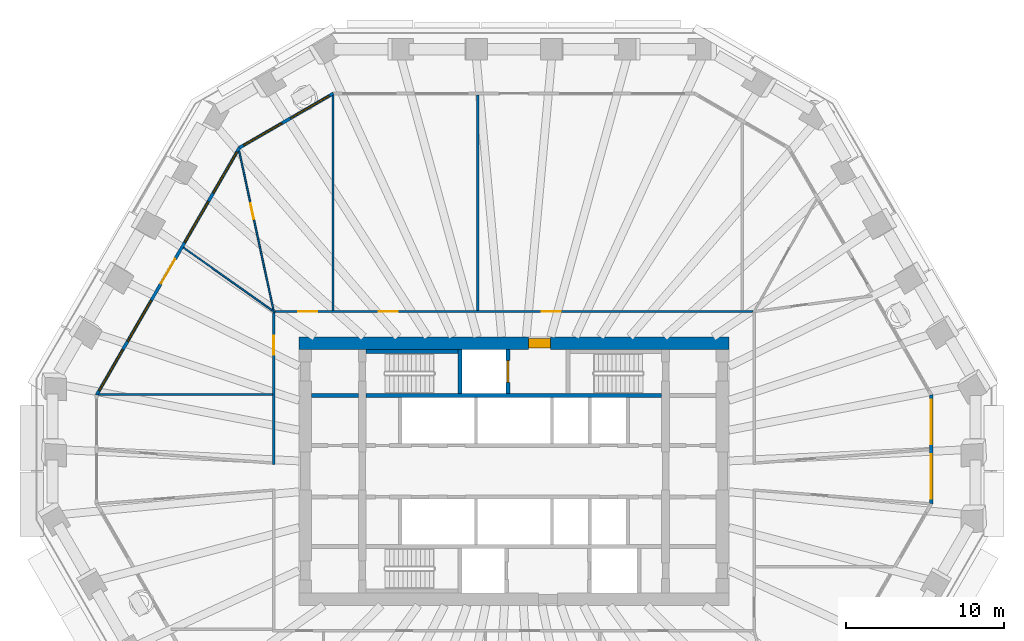
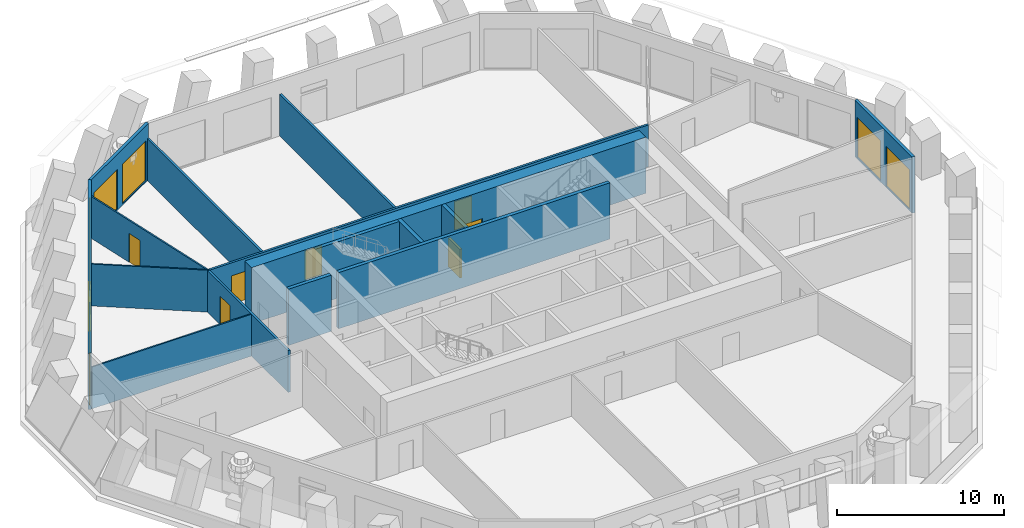
# One storey, part 6 of 12: 16 walls, 9 windows, 8 doors, 17 openings.
"""IFC4 building model written with IfcOpenShell, lengths in metres."""

from ifc_helpers import new_model, si_unit, direction, frame, frame_2d, origin, place, context, subcontext, project, spatial, polyline, rectangle, outline, extrude, material, layer, layer_set, type_object, element, fill, save


model = new_model("IFC4")

# Units and contexts
model_context = context("Model", 3, precision=1e-05, world=origin(), true_north=direction((0.0, 1.0)))
body_context = subcontext(model_context, "Body", "Model", "MODEL_VIEW")
ifc_project = project(units=[si_unit("LENGTHUNIT", "METRE"), si_unit("AREAUNIT", "SQUARE_METRE"), si_unit("VOLUMEUNIT", "CUBIC_METRE"), si_unit("PLANEANGLEUNIT", "RADIAN"), si_unit("MASSUNIT", "GRAM", prefix="KILO")], contexts=[model_context])

# Site, building, storey
site_placement = place(None, origin())
site = spatial("IfcSite", under=ifc_project, at=site_placement, CompositionType="ELEMENT")
building_placement = place(site_placement, origin())
building = spatial("IfcBuilding", under=site, at=building_placement, Name="Frailejon Research Tower", CompositionType="ELEMENT")
storey_placement = place(building_placement, frame((0.0, 0.0, 135.199951171875)))
storey = spatial("IfcBuildingStorey", under=building, at=storey_placement, Name="L29", CompositionType="ELEMENT", Elevation=135.199951171875)

# Wall, opening, door
ifc_material_1 = material(Name="Concrete C60/75", Category="concrete")
ifc_layer_1 = layer(ifc_material_1, 0.800048828125)
ifc_layer_set_1 = layer_set([ifc_layer_1], Name="Core shear wall 800 C60/75")
wall_type_1 = type_object("IfcWallType", Name="Core shear wall 800 C60/75", PredefinedType="SHEAR", material=ifc_layer_set_1)
wall_1_placement = place(storey_placement, frame((-13.60009765625, 8.10009765625, 0.0), z_axis=(0.0, 0.0, 1.0), x_axis=(1.0, 0.0, 0.0)))
wall_1 = element("IfcWall", 1, at=wall_1_placement, inside=storey, type_object=wall_type_1, Name="Core shear wall", PredefinedType="SHEAR", context=body_context, shape_type="SweptSolid", body=[
    extrude(rectangle(XDim=27.2001953125, YDim=0.800048828125, at=frame_2d((13.60009765625, 0.0))), origin(), (0.0, 0.0, 1.0), 4.10009765625),
])
opening_1_placement = place(wall_1_placement, frame((14.52490234375, 0.0, 0.0)))
opening_1 = element("IfcOpeningElement", 2, at=opening_1_placement, cuts=wall_1, Name="Opening D9", PredefinedType="OPENING", context=body_context, shape_type="SweptSolid", body=[
    extrude(rectangle(XDim=1.39990234375, YDim=2.10009765625, at=frame_2d((0.699951171875, 1.050048828125))), frame((0.0, 0.409912109375, 0.0), z_axis=(0.0, -1.0, 0.0), x_axis=(1.0, 0.0, 0.0)), (0.0, 0.0, 1.0), 0.820068359375),
])
ifc_material_2 = material(Name="Steel", Category="steel")
door_type_1 = type_object("IfcDoorType", Name="Goods lobby door", OperationType="DOUBLE_DOOR_SINGLE_SWING", PredefinedType="DOOR", material=ifc_material_2)
door_1_placement = place(opening_1_placement, origin())
door_1 = element("IfcDoor", 3, at=door_1_placement, inside=storey, type_object=door_type_1, Name="Goods lobby door", OperationType="DOUBLE_DOOR_SINGLE_SWING", OverallHeight=2.10009765625, OverallWidth=1.39990234375, PredefinedType="DOOR", context=body_context, shape_type="SweptSolid", body=[
    extrude(rectangle(XDim=1.39990234375, YDim=2.10009765625, at=frame_2d((0.699951171875, 1.050048828125))), frame((0.0, 0.300048828125, 0.0), z_axis=(0.0, -1.0, 0.0), x_axis=(1.0, 0.0, 0.0)), (0.0, 0.0, 1.0), 0.60009765625),
])
fill(opening_1, door_1)

# Wall, openings, doors
ifc_material_3 = material(Name="Gypsum board and masonry partition", Category="masonry")
ifc_layer_2 = layer(ifc_material_3, 0.14990234375)
ifc_layer_set_2 = layer_set([ifc_layer_2], Name="Corridor wall EI 60, gypsum on steel studs 150")
wall_type_2 = type_object("IfcWallType", Name="Corridor wall EI 60, gypsum on steel studs 150", PredefinedType="PARTITIONING", material=ifc_layer_set_2)
wall_2_placement = place(storey_placement, frame((-15.125, 10.10009765625, 0.0), z_axis=(0.0, 0.0, 1.0), x_axis=(1.0, 0.0, 0.0)))
wall_2 = element("IfcWall", 4, at=wall_2_placement, inside=storey, type_object=wall_type_2, Name="T:IW:L29:005", PredefinedType="PARTITIONING", context=body_context, shape_type="SweptSolid", body=[
    extrude(rectangle(XDim=30.25, YDim=0.14990234375, at=frame_2d((15.125, 0.0))), origin(), (0.0, 0.0, 1.0), 3.050048828125),
])
opening_2_placement = place(wall_2_placement, frame((16.895263671875, 0.0, 0.0)))
opening_2 = element("IfcOpeningElement", 5, at=opening_2_placement, cuts=wall_2, Name="Opening D1682", PredefinedType="OPENING", context=body_context, shape_type="SweptSolid", body=[
    extrude(rectangle(XDim=1.199951171875, YDim=2.10009765625, at=frame_2d((0.60009765625, 1.050048828125))), frame((0.0, 0.0849609375, 0.0), z_axis=(0.0, -1.0, 0.0), x_axis=(1.0, 0.0, 0.0)), (0.0, 0.0, 1.0), 0.169921875),
])
opening_3_placement = place(wall_2_placement, frame((6.563720703125, 0.0, 0.0)))
opening_3 = element("IfcOpeningElement", 6, at=opening_3_placement, cuts=wall_2, Name="Opening D1683", PredefinedType="OPENING", context=body_context, shape_type="SweptSolid", body=[
    extrude(rectangle(XDim=1.199951171875, YDim=2.10009765625, at=frame_2d((0.60009765625, 1.050048828125))), frame((0.0, 0.0849609375, 0.0), z_axis=(0.0, -1.0, 0.0), x_axis=(1.0, 0.0, 0.0)), (0.0, 0.0, 1.0), 0.169921875),
])
opening_4_placement = place(wall_2_placement, frame((1.4755859375, 0.0, 0.0)))
opening_4 = element("IfcOpeningElement", 7, at=opening_4_placement, cuts=wall_2, Name="Opening D1684", PredefinedType="OPENING", context=body_context, shape_type="SweptSolid", body=[
    extrude(rectangle(XDim=1.199951171875, YDim=2.10009765625, at=frame_2d((0.60009765625, 1.050048828125))), frame((0.0, 0.0849609375, 0.0), z_axis=(0.0, -1.0, 0.0), x_axis=(1.0, 0.0, 0.0)), (0.0, 0.0, 1.0), 0.169921875),
])
ifc_material_4 = material(Name="Timber door leaf", Category="wood")
door_type_2 = type_object("IfcDoorType", Name="Door laboratory, timber, vision panel 1200", OperationType="NOTDEFINED", PredefinedType="DOOR", material=ifc_material_4)
door_2_placement = place(opening_2_placement, origin())
door_2 = element("IfcDoor", 8, at=door_2_placement, inside=storey, type_object=door_type_2, Name="D1682", OperationType="DOUBLE_DOOR_SINGLE_SWING", OverallHeight=2.10009765625, OverallWidth=1.199951171875, PredefinedType="DOOR", context=body_context, shape_type="SweptSolid", body=[
    extrude(rectangle(XDim=1.199951171875, YDim=2.10009765625, at=frame_2d((0.60009765625, 1.050048828125))), frame((0.0, 0.02490234375, 0.0), z_axis=(0.0, -1.0, 0.0), x_axis=(1.0, 0.0, 0.0)), (0.0, 0.0, 1.0), 0.050048828125),
])
fill(opening_2, door_2)
door_3_placement = place(opening_3_placement, origin())
door_3 = element("IfcDoor", 9, at=door_3_placement, inside=storey, type_object=door_type_2, Name="D1683", OperationType="DOUBLE_DOOR_SINGLE_SWING", OverallHeight=2.10009765625, OverallWidth=1.199951171875, PredefinedType="DOOR", context=body_context, shape_type="SweptSolid", body=[
    extrude(rectangle(XDim=1.199951171875, YDim=2.10009765625, at=frame_2d((0.60009765625, 1.050048828125))), frame((0.0, 0.02490234375, 0.0), z_axis=(0.0, -1.0, 0.0), x_axis=(1.0, 0.0, 0.0)), (0.0, 0.0, 1.0), 0.050048828125),
])
fill(opening_3, door_3)
ifc_material_5 = material(Name="Timber door leaf", Category="wood")
door_type_3 = type_object("IfcDoorType", Name="Door single leaf, timber, steel frame 1200", OperationType="NOTDEFINED", PredefinedType="DOOR", material=ifc_material_5)
door_4_placement = place(opening_4_placement, origin())
door_4 = element("IfcDoor", 10, at=door_4_placement, inside=storey, type_object=door_type_3, Name="D1684", OperationType="DOUBLE_DOOR_SINGLE_SWING", OverallHeight=2.10009765625, OverallWidth=1.199951171875, PredefinedType="DOOR", context=body_context, shape_type="SweptSolid", body=[
    extrude(rectangle(XDim=1.199951171875, YDim=2.10009765625, at=frame_2d((0.60009765625, 1.050048828125))), frame((0.0, 0.02490234375, 0.0), z_axis=(0.0, -1.0, 0.0), x_axis=(1.0, 0.0, 0.0)), (0.0, 0.0, 1.0), 0.050048828125),
])
fill(opening_4, door_4)

# Wall, opening, door
wall_3_placement = place(storey_placement, frame((-15.199951171875, 0.42578125, 0.0), z_axis=(0.0, 0.0, 1.0), x_axis=(0.0, 1.0, 0.0)))
wall_3 = element("IfcWall", 11, at=wall_3_placement, inside=storey, type_object=wall_type_2, Name="T:IW:L29:007", PredefinedType="PARTITIONING", context=body_context, shape_type="SweptSolid", body=[
    extrude(rectangle(XDim=9.624267578125, YDim=0.14990234375, at=frame_2d((4.81201171875, 0.0))), origin(), (0.0, 0.0, 1.0), 3.050048828125),
])
opening_5_placement = place(wall_3_placement, frame((6.95068359375, 0.0, 0.0)))
opening_5 = element("IfcOpeningElement", 12, at=opening_5_placement, cuts=wall_3, Name="Opening D1686", PredefinedType="OPENING", context=body_context, shape_type="SweptSolid", body=[
    extrude(rectangle(XDim=1.199951171875, YDim=2.10009765625, at=frame_2d((0.60009765625, 1.050048828125))), frame((0.0, 0.0849609375, 0.0), z_axis=(0.0, -1.0, 0.0), x_axis=(1.0, 0.0, 0.0)), (0.0, 0.0, 1.0), 0.169921875),
])
door_5_placement = place(opening_5_placement, origin())
door_5 = element("IfcDoor", 13, at=door_5_placement, inside=storey, type_object=door_type_3, Name="D1686", OperationType="DOUBLE_DOOR_SINGLE_SWING", OverallHeight=2.10009765625, OverallWidth=1.199951171875, PredefinedType="DOOR", context=body_context, shape_type="SweptSolid", body=[
    extrude(rectangle(XDim=1.199951171875, YDim=2.10009765625, at=frame_2d((0.60009765625, 1.050048828125))), frame((0.0, 0.02490234375, 0.0), z_axis=(0.0, -1.0, 0.0), x_axis=(1.0, 0.0, 0.0)), (0.0, 0.0, 1.0), 0.050048828125),
])
fill(opening_5, door_5)

# Walls
ifc_material_6 = material(Name="Gypsum board and masonry partition", Category="masonry")
ifc_layer_3 = layer(ifc_material_6, 0.14990234375)
ifc_layer_set_3 = layer_set([ifc_layer_3], Name="Laboratory partition, blockwork 150")
wall_type_3 = type_object("IfcWallType", Name="Laboratory partition, blockwork 150", PredefinedType="PARTITIONING", material=ifc_layer_set_3)
wall_4_placement = place(storey_placement, frame((-2.29052734375, 10.175048828125, 0.0), z_axis=(0.0, 0.0, 1.0), x_axis=(0.0, 1.0, 0.0)))
element("IfcWall", 14, at=wall_4_placement, inside=storey, type_object=wall_type_3, Name="T:IW:L29:013", PredefinedType="PARTITIONING", context=body_context, shape_type="SweptSolid", body=[
    extrude(rectangle(XDim=13.625, YDim=0.14990234375, at=frame_2d((6.8125, 0.0))), origin(), (0.0, 0.0, 1.0), 3.050048828125),
])
wall_5_placement = place(storey_placement, frame((-11.453125, 10.175048828125, 0.0), z_axis=(0.0, 0.0, 1.0), x_axis=(0.0, 1.0, 0.0)))
element("IfcWall", 15, at=wall_5_placement, inside=storey, type_object=wall_type_3, Name="T:IW:L29:014", PredefinedType="PARTITIONING", context=body_context, shape_type="SweptSolid", body=[
    extrude(rectangle(XDim=13.593994140625, YDim=0.14990234375, at=frame_2d((6.796875, 0.0))), origin(), (0.0, 0.0, 1.0), 3.050048828125),
])

# Wall, opening, door
ifc_material_7 = material(Name="Gypsum board and masonry partition", Category="masonry")
ifc_layer_4 = layer(ifc_material_7, 0.10009765625)
ifc_layer_set_4 = layer_set([ifc_layer_4], Name="Partition, gypsum on steel studs 100")
wall_type_4 = type_object("IfcWallType", Name="Partition, gypsum on steel studs 100", PredefinedType="PARTITIONING", material=ifc_layer_set_4)
wall_6_placement = place(storey_placement, frame((-17.39013671875, 20.244873046875, 0.0), z_axis=(0.0, 0.0, 1.0), x_axis=(0.211012362952, -0.977483392535, 0.0)))
wall_6 = element("IfcWall", 16, at=wall_6_placement, inside=storey, type_object=wall_type_4, Name="T:IW:L29:020", PredefinedType="PARTITIONING", context=body_context, shape_type="SweptSolid", body=[
    extrude(rectangle(XDim=10.32861328125, YDim=0.10009765625, at=frame_2d((5.164306640625, 0.0))), origin(), (0.0, 0.0, 1.0), 3.050048828125),
])
opening_6_placement = place(wall_6_placement, frame((3.387451171875, 0.0, 0.0)))
opening_6 = element("IfcOpeningElement", 17, at=opening_6_placement, cuts=wall_6, Name="Opening D1685", PredefinedType="OPENING", context=body_context, shape_type="SweptSolid", body=[
    extrude(rectangle(XDim=1.0, YDim=2.10009765625, at=frame_2d((0.5, 1.050048828125))), frame((0.0, 0.06005859375, 0.0), z_axis=(0.0, -1.0, 0.0), x_axis=(1.0, 0.0, 0.0)), (0.0, 0.0, 1.0), 0.1201171875),
])
ifc_material_8 = material(Name="Timber door leaf", Category="wood")
door_type_4 = type_object("IfcDoorType", Name="Door single leaf, timber, steel frame 1000", OperationType="NOTDEFINED", PredefinedType="DOOR", material=ifc_material_8)
door_6_placement = place(opening_6_placement, origin())
door_6 = element("IfcDoor", 18, at=door_6_placement, inside=storey, type_object=door_type_4, Name="D1685", OperationType="SINGLE_SWING_RIGHT", OverallHeight=2.10009765625, OverallWidth=1.0, PredefinedType="DOOR", context=body_context, shape_type="SweptSolid", body=[
    extrude(rectangle(XDim=1.0, YDim=2.10009765625, at=frame_2d((0.5, 1.050048828125))), frame((0.0, 0.02490234375, 0.0), z_axis=(0.0, -1.0, 0.0), x_axis=(1.0, 0.0, 0.0)), (0.0, 0.0, 1.0), 0.050048828125),
])
fill(opening_6, door_6)

# Walls
wall_7_placement = place(storey_placement, frame((-20.912353515625, 14.144287109375, 0.0), z_axis=(0.0, 0.0, 1.0), x_axis=(0.816149265307, -0.577841134516, 0.0)))
element("IfcWall", 19, at=wall_7_placement, inside=storey, type_object=wall_type_4, Name="T:IW:L29:021", PredefinedType="PARTITIONING", context=body_context, shape_type="SweptSolid", body=[
    extrude(rectangle(XDim=7.073974609375, YDim=0.10009765625, at=frame_2d((3.537109375, 0.0))), origin(), (0.0, 0.0, 1.0), 3.050048828125),
])
wall_8_placement = place(storey_placement, frame((-26.2802734375, 4.846923828125, 0.0), z_axis=(0.0, 0.0, 1.0), x_axis=(1.0, 0.0, 0.0)))
element("IfcWall", 20, at=wall_8_placement, inside=storey, type_object=wall_type_4, Name="T:IW:L29:022", PredefinedType="PARTITIONING", context=body_context, shape_type="SweptSolid", body=[
    extrude(rectangle(XDim=11.00537109375, YDim=0.10009765625, at=frame_2d((5.502685546875, 0.0))), origin(), (0.0, 0.0, 1.0), 3.050048828125),
])
ifc_material_9 = material(Name="Concrete C60/75", Category="concrete")
ifc_layer_5 = layer(ifc_material_9, 0.25)
ifc_layer_set_5 = layer_set([ifc_layer_5], Name="Shaft wall 250 C60/75")
wall_type_5 = type_object("IfcWallType", Name="Shaft wall 250 C60/75", PredefinedType="SOLIDWALL", material=ifc_layer_set_5)
wall_9_placement = place(storey_placement, frame((-12.800048828125, 4.77490234375, 0.0), z_axis=(0.0, 0.0, 1.0), x_axis=(1.0, 0.0, 0.0)))
element("IfcWall", 21, at=wall_9_placement, inside=storey, type_object=wall_type_5, Name="Shaft wall", PredefinedType="SOLIDWALL", context=body_context, shape_type="SweptSolid", body=[
    extrude(rectangle(XDim=2.949951171875, YDim=0.25, at=frame_2d((1.47509765625, 0.0))), origin(), (0.0, 0.0, 1.0), 4.10009765625),
])
wall_10_placement = place(storey_placement, frame((-9.35009765625, 4.77490234375, 0.0), z_axis=(0.0, 0.0, 1.0), x_axis=(1.0, 0.0, 0.0)))
element("IfcWall", 22, at=wall_10_placement, inside=storey, type_object=wall_type_5, Name="Shaft wall", PredefinedType="SOLIDWALL", context=body_context, shape_type="SweptSolid", body=[
    extrude(rectangle(XDim=18.7001953125, YDim=0.25, at=frame_2d((9.35009765625, 0.0))), origin(), (0.0, 0.0, 1.0), 4.10009765625),
])
wall_11_placement = place(storey_placement, frame((-9.35009765625, 7.574951171875, 0.0), z_axis=(0.0, 0.0, 1.0), x_axis=(1.0, 0.0, 0.0)))
element("IfcWall", 23, at=wall_11_placement, inside=storey, type_object=wall_type_5, Name="Shaft wall", PredefinedType="SOLIDWALL", context=body_context, shape_type="SweptSolid", body=[
    extrude(rectangle(XDim=5.800048828125, YDim=0.25, at=frame_2d((2.89990234375, 0.0))), origin(), (0.0, 0.0, 1.0), 4.10009765625),
])
wall_12_placement = place(storey_placement, frame((-3.425048828125, 4.89990234375, 0.0), z_axis=(0.0, 0.0, 1.0), x_axis=(0.0, 1.0, 0.0)))
element("IfcWall", 24, at=wall_12_placement, inside=storey, type_object=wall_type_5, Name="Shaft wall", PredefinedType="SOLIDWALL", context=body_context, shape_type="SweptSolid", body=[
    extrude(rectangle(XDim=2.800048828125, YDim=0.25, at=frame_2d((1.39990234375, 0.0))), origin(), (0.0, 0.0, 1.0), 4.10009765625),
])

# Wall, opening, door
wall_13_placement = place(storey_placement, frame((-0.375, 4.89990234375, 0.0), z_axis=(0.0, 0.0, 1.0), x_axis=(0.0, 1.0, 0.0)))
wall_13 = element("IfcWall", 25, at=wall_13_placement, inside=storey, type_object=wall_type_5, Name="Shaft wall", PredefinedType="SOLIDWALL", context=body_context, shape_type="SweptSolid", body=[
    extrude(rectangle(XDim=2.800048828125, YDim=0.25, at=frame_2d((1.39990234375, 0.0))), origin(), (0.0, 0.0, 1.0), 4.10009765625),
])
opening_7_placement = place(wall_13_placement, frame((0.699951171875, 0.0, 0.0)))
opening_7 = element("IfcOpeningElement", 26, at=opening_7_placement, cuts=wall_13, Name="Opening LD2", PredefinedType="OPENING", context=body_context, shape_type="SweptSolid", body=[
    extrude(rectangle(XDim=1.39990234375, YDim=2.10009765625, at=frame_2d((0.699951171875, 1.050048828125))), frame((0.0, 0.135009765625, 0.0), z_axis=(0.0, -1.0, 0.0), x_axis=(1.0, 0.0, 0.0)), (0.0, 0.0, 1.0), 0.27001953125),
])
ifc_material_10 = material(Name="Stainless steel", Category="steel")
door_type_5 = type_object("IfcDoorType", Name="Goods landing door", OperationType="DOUBLE_DOOR_SLIDING", PredefinedType="DOOR", material=ifc_material_10)
door_7_placement = place(opening_7_placement, origin())
door_7 = element("IfcDoor", 27, at=door_7_placement, inside=storey, type_object=door_type_5, Name="Lift landing door", OperationType="DOUBLE_DOOR_SLIDING", OverallHeight=2.10009765625, OverallWidth=1.39990234375, PredefinedType="DOOR", context=body_context, shape_type="SweptSolid", body=[
    extrude(rectangle(XDim=1.39990234375, YDim=2.10009765625, at=frame_2d((0.699951171875, 1.050048828125))), frame((0.0, 0.074951171875, 0.0), z_axis=(0.0, -1.0, 0.0), x_axis=(1.0, 0.0, 0.0)), (0.0, 0.0, 1.0), 0.14990234375),
])
fill(opening_7, door_7)

# Wall, openings, windows
ifc_material_11 = material(Name="Concrete C40/50 precast window wall panel", Category="concrete")
ifc_layer_6 = layer(ifc_material_11, 0.199951171875)
ifc_layer_set_6 = layer_set([ifc_layer_6], Name="Window wall 200")
wall_type_6 = type_object("IfcWallType", Name="Window wall 200", PredefinedType="SOLIDWALL", material=ifc_layer_set_6)
wall_14_placement = place(storey_placement, frame((26.4111328125, -2.0546875, 0.0), z_axis=(0.0, 0.0, 1.0), x_axis=(0.0, 1.0, 0.0)))
wall_14 = element("IfcWall", 28, at=wall_14_placement, inside=storey, type_object=wall_type_6, Name="Exterior wall L29", PredefinedType="SOLIDWALL", context=body_context, shape_type="SweptSolid", body=[
    extrude(outline(polyline([(-0.02685546875, -0.10009765625), (1.1279296875, -0.10009765625), (2.28271484375, -0.10009765625), (3.4375, -0.10009765625), (4.592041015625, -0.10009765625), (5.746826171875, -0.10009765625), (6.901611328125, -0.10009765625), (6.847900390625, 0.10009765625), (5.7109375, 0.10009765625), (4.57421875, 0.10009765625), (3.4375, 0.10009765625), (2.300537109375, 0.10009765625), (1.16357421875, 0.10009765625), (0.02685546875, 0.10009765625), (-0.02685546875, -0.10009765625)])), origin(), (0.0, 0.0, 1.0), 4.10009765625),
])
opening_8_placement = place(wall_14_placement, frame((0.318603515625, 0.0, 0.10009765625)))
opening_8 = element("IfcOpeningElement", 29, at=opening_8_placement, cuts=wall_14, Name="Opening W3", PredefinedType="OPENING", context=body_context, shape_type="SweptSolid", body=[
    extrude(rectangle(XDim=2.800048828125, YDim=2.89990234375, at=frame_2d((1.39990234375, 1.449951171875))), frame((0.0, 0.10986328125, 0.0), z_axis=(0.0, -1.0, 0.0), x_axis=(1.0, 0.0, 0.0)), (0.0, 0.0, 1.0), 0.219970703125),
])
opening_9_placement = place(wall_14_placement, frame((3.756103515625, 0.0, 0.10009765625)))
opening_9 = element("IfcOpeningElement", 30, at=opening_9_placement, cuts=wall_14, Name="Opening W3", PredefinedType="OPENING", context=body_context, shape_type="SweptSolid", body=[
    extrude(rectangle(XDim=2.800048828125, YDim=2.89990234375, at=frame_2d((1.39990234375, 1.449951171875))), frame((0.0, 0.10986328125, 0.0), z_axis=(0.0, -1.0, 0.0), x_axis=(1.0, 0.0, 0.0)), (0.0, 0.0, 1.0), 0.219970703125),
])
ifc_material_12 = material(Name="Aluminium framed double glazing", Category="aluminium")
window_type_1 = type_object("IfcWindowType", Name="Window 2800x2900", PartitioningType="SINGLE_PANEL", PredefinedType="WINDOW", material=ifc_material_12)
window_1_placement = place(opening_8_placement, origin())
window_1 = element("IfcWindow", 31, at=window_1_placement, inside=storey, type_object=window_type_1, Name="Window L29", OverallHeight=2.89990234375, OverallWidth=2.800048828125, PartitioningType="SINGLE_PANEL", PredefinedType="WINDOW", context=body_context, shape_type="SweptSolid", body=[
    extrude(rectangle(XDim=2.800048828125, YDim=2.89990234375, at=frame_2d((1.39990234375, 1.449951171875))), frame((0.0, 0.030029296875, 0.0), z_axis=(0.0, -1.0, 0.0), x_axis=(1.0, 0.0, 0.0)), (0.0, 0.0, 1.0), 0.06005859375),
])
fill(opening_8, window_1)
window_2_placement = place(opening_9_placement, origin())
window_2 = element("IfcWindow", 32, at=window_2_placement, inside=storey, type_object=window_type_1, Name="Window L29", OverallHeight=2.89990234375, OverallWidth=2.800048828125, PartitioningType="SINGLE_PANEL", PredefinedType="WINDOW", context=body_context, shape_type="SweptSolid", body=[
    extrude(rectangle(XDim=2.800048828125, YDim=2.89990234375, at=frame_2d((1.39990234375, 1.449951171875))), frame((0.0, 0.030029296875, 0.0), z_axis=(0.0, -1.0, 0.0), x_axis=(1.0, 0.0, 0.0)), (0.0, 0.0, 1.0), 0.06005859375),
])
fill(opening_9, window_2)

wall_15_placement = place(storey_placement, frame((-11.42626953125, 23.89990234375, 0.0), z_axis=(0.0, 0.0, 1.0), x_axis=(-0.866029458321, -0.49999297727, 0.0)))
wall_15 = element("IfcWall", 33, at=wall_15_placement, inside=storey, type_object=wall_type_6, Name="Exterior wall L29", PredefinedType="SOLIDWALL", context=body_context, shape_type="SweptSolid", body=[
    extrude(outline(polyline([(-0.02685546875, -0.10009765625), (1.1279296875, -0.10009765625), (2.282470703125, -0.10009765625), (3.437255859375, -0.10009765625), (4.592041015625, -0.10009765625), (5.74658203125, -0.10009765625), (6.9013671875, -0.10009765625), (6.84765625, 0.10009765625), (5.7109375, 0.10009765625), (4.573974609375, 0.10009765625), (3.437255859375, 0.10009765625), (2.300537109375, 0.10009765625), (1.16357421875, 0.10009765625), (0.02685546875, 0.10009765625), (-0.02685546875, -0.10009765625)])), origin(), (0.0, 0.0, 1.0), 4.10009765625),
])
opening_10_placement = place(wall_15_placement, frame((0.318603515625, 0.0, 0.10009765625)))
opening_10 = element("IfcOpeningElement", 34, at=opening_10_placement, cuts=wall_15, Name="Opening W3", PredefinedType="OPENING", context=body_context, shape_type="SweptSolid", body=[
    extrude(rectangle(XDim=2.800048828125, YDim=2.89990234375, at=frame_2d((1.39990234375, 1.449951171875))), frame((0.0, 0.10986328125, 0.0), z_axis=(0.0, -1.0, 0.0), x_axis=(1.0, 0.0, 0.0)), (0.0, 0.0, 1.0), 0.219970703125),
])
opening_11_placement = place(wall_15_placement, frame((3.756103515625, 0.0, 0.10009765625)))
opening_11 = element("IfcOpeningElement", 35, at=opening_11_placement, cuts=wall_15, Name="Opening W3", PredefinedType="OPENING", context=body_context, shape_type="SweptSolid", body=[
    extrude(rectangle(XDim=2.800048828125, YDim=2.89990234375, at=frame_2d((1.39990234375, 1.449951171875))), frame((0.0, 0.10986328125, 0.0), z_axis=(0.0, -1.0, 0.0), x_axis=(1.0, 0.0, 0.0)), (0.0, 0.0, 1.0), 0.219970703125),
])
window_3_placement = place(opening_10_placement, origin())
window_3 = element("IfcWindow", 36, at=window_3_placement, inside=storey, type_object=window_type_1, Name="Window L29", OverallHeight=2.89990234375, OverallWidth=2.800048828125, PartitioningType="SINGLE_PANEL", PredefinedType="WINDOW", context=body_context, shape_type="SweptSolid", body=[
    extrude(rectangle(XDim=2.800048828125, YDim=2.89990234375, at=frame_2d((1.39990234375, 1.449951171875))), frame((0.0, 0.030029296875, 0.0), z_axis=(0.0, -1.0, 0.0), x_axis=(1.0, 0.0, 0.0)), (0.0, 0.0, 1.0), 0.06005859375),
])
fill(opening_10, window_3)
window_4_placement = place(opening_11_placement, origin())
window_4 = element("IfcWindow", 37, at=window_4_placement, inside=storey, type_object=window_type_1, Name="Window L29", OverallHeight=2.89990234375, OverallWidth=2.800048828125, PartitioningType="SINGLE_PANEL", PredefinedType="WINDOW", context=body_context, shape_type="SweptSolid", body=[
    extrude(rectangle(XDim=2.800048828125, YDim=2.89990234375, at=frame_2d((1.39990234375, 1.449951171875))), frame((0.0, 0.030029296875, 0.0), z_axis=(0.0, -1.0, 0.0), x_axis=(1.0, 0.0, 0.0)), (0.0, 0.0, 1.0), 0.06005859375),
])
fill(opening_11, window_4)

# Wall, openings, door, windows
wall_16_placement = place(storey_placement, frame((-17.3798828125, 20.462646484375, 0.0), z_axis=(0.0, 0.0, 1.0), x_axis=(-0.500000137386, -0.866025324465, 0.0)))
wall_16 = element("IfcWall", 38, at=wall_16_placement, inside=storey, type_object=wall_type_6, Name="Exterior wall L29", PredefinedType="SOLIDWALL", context=body_context, shape_type="SweptSolid", body=[
    extrude(outline(polyline([(-0.02685546875, -0.10009765625), (0.9794921875, -0.10009765625), (1.986083984375, -0.10009765625), (2.992431640625, -0.10009765625), (3.9990234375, -0.10009765625), (5.00537109375, -0.10009765625), (6.011962890625, -0.10009765625), (7.018310546875, -0.10009765625), (8.02490234375, -0.10009765625), (9.03125, -0.10009765625), (10.03759765625, -0.10009765625), (11.044189453125, -0.10009765625), (12.050537109375, -0.10009765625), (13.05712890625, -0.10009765625), (14.0634765625, -0.10009765625), (15.070068359375, -0.10009765625), (16.076416015625, -0.10009765625), (17.0830078125, -0.10009765625), (18.08935546875, -0.10009765625), (18.03564453125, 0.10009765625), (17.03515625, 0.10009765625), (16.03466796875, 0.10009765625), (15.0341796875, 0.10009765625), (14.03369140625, 0.10009765625), (13.033203125, 0.10009765625), (12.03271484375, 0.10009765625), (11.0322265625, 0.10009765625), (10.03173828125, 0.10009765625), (9.03125, 0.10009765625), (8.03076171875, 0.10009765625), (7.0302734375, 0.10009765625), (6.02978515625, 0.10009765625), (5.029296875, 0.10009765625), (4.02880859375, 0.10009765625), (3.0283203125, 0.10009765625), (2.02783203125, 0.10009765625), (1.02734375, 0.10009765625), (0.02685546875, 0.10009765625), (-0.02685546875, -0.10009765625)])), origin(), (0.0, 0.0, 1.0), 4.10009765625),
])
opening_12_placement = place(wall_16_placement, frame((0.306396484375, 0.0, 0.10009765625)))
opening_12 = element("IfcOpeningElement", 39, at=opening_12_placement, cuts=wall_16, Name="Opening W4", PredefinedType="OPENING", context=body_context, shape_type="SweptSolid", body=[
    extrude(rectangle(XDim=3.0, YDim=2.89990234375, at=frame_2d((1.5, 1.449951171875))), frame((0.0, 0.10986328125, 0.0), z_axis=(0.0, -1.0, 0.0), x_axis=(1.0, 0.0, 0.0)), (0.0, 0.0, 1.0), 0.219970703125),
])
opening_13_placement = place(wall_16_placement, frame((3.918701171875, 0.0, 0.10009765625)))
opening_13 = element("IfcOpeningElement", 40, at=opening_13_placement, cuts=wall_16, Name="Opening W4", PredefinedType="OPENING", context=body_context, shape_type="SweptSolid", body=[
    extrude(rectangle(XDim=3.0, YDim=2.89990234375, at=frame_2d((1.5, 1.449951171875))), frame((0.0, 0.10986328125, 0.0), z_axis=(0.0, -1.0, 0.0), x_axis=(1.0, 0.0, 0.0)), (0.0, 0.0, 1.0), 0.219970703125),
])
opening_14_placement = place(wall_16_placement, frame((8.13134765625, 0.0, 0.0)))
opening_14 = element("IfcOpeningElement", 41, at=opening_14_placement, cuts=wall_16, Name="Opening LG29-3", PredefinedType="OPENING", context=body_context, shape_type="SweptSolid", body=[
    extrude(rectangle(XDim=1.800048828125, YDim=2.39990234375, at=frame_2d((0.89990234375, 1.199951171875))), frame((0.0, 0.10986328125, 0.0), z_axis=(0.0, -1.0, 0.0), x_axis=(1.0, 0.0, 0.0)), (0.0, 0.0, 1.0), 0.219970703125),
])
opening_15_placement = place(wall_16_placement, frame((8.13134765625, 0.0, 2.550048828125)))
opening_15 = element("IfcOpeningElement", 42, at=opening_15_placement, cuts=wall_16, Name="Opening W1", PredefinedType="OPENING", context=body_context, shape_type="SweptSolid", body=[
    extrude(rectangle(XDim=1.800048828125, YDim=0.449951171875, at=frame_2d((0.89990234375, 0.22509765625))), frame((0.0, 0.10986328125, 0.0), z_axis=(0.0, -1.0, 0.0), x_axis=(1.0, 0.0, 0.0)), (0.0, 0.0, 1.0), 0.219970703125),
])
opening_16_placement = place(wall_16_placement, frame((11.143798828125, 0.0, 0.10009765625)))
opening_16 = element("IfcOpeningElement", 43, at=opening_16_placement, cuts=wall_16, Name="Opening W4", PredefinedType="OPENING", context=body_context, shape_type="SweptSolid", body=[
    extrude(rectangle(XDim=3.0, YDim=2.89990234375, at=frame_2d((1.5, 1.449951171875))), frame((0.0, 0.10986328125, 0.0), z_axis=(0.0, -1.0, 0.0), x_axis=(1.0, 0.0, 0.0)), (0.0, 0.0, 1.0), 0.219970703125),
])
opening_17_placement = place(wall_16_placement, frame((14.75634765625, 0.0, 0.10009765625)))
opening_17 = element("IfcOpeningElement", 44, at=opening_17_placement, cuts=wall_16, Name="Opening W4", PredefinedType="OPENING", context=body_context, shape_type="SweptSolid", body=[
    extrude(rectangle(XDim=3.0, YDim=2.89990234375, at=frame_2d((1.5, 1.449951171875))), frame((0.0, 0.10986328125, 0.0), z_axis=(0.0, -1.0, 0.0), x_axis=(1.0, 0.0, 0.0)), (0.0, 0.0, 1.0), 0.219970703125),
])
ifc_material_13 = material(Name="Aluminium framed glazed door leaf", Category="aluminium")
door_type_6 = type_object("IfcDoorType", Name="Loggia door 1800x2400", OperationType="DOUBLE_DOOR_SINGLE_SWING", PredefinedType="DOOR", material=ifc_material_13)
door_8_placement = place(opening_14_placement, origin())
door_8 = element("IfcDoor", 45, at=door_8_placement, inside=storey, type_object=door_type_6, Name="Door LG29-3", OperationType="DOUBLE_DOOR_SINGLE_SWING", OverallHeight=2.39990234375, OverallWidth=1.800048828125, PredefinedType="DOOR", context=body_context, shape_type="SweptSolid", body=[
    extrude(rectangle(XDim=1.800048828125, YDim=2.39990234375, at=frame_2d((0.89990234375, 1.199951171875))), frame((0.0, 0.02490234375, 0.0), z_axis=(0.0, -1.0, 0.0), x_axis=(1.0, 0.0, 0.0)), (0.0, 0.0, 1.0), 0.050048828125),
])
fill(opening_14, door_8)
ifc_material_14 = material(Name="Aluminium framed double glazing", Category="aluminium")
window_type_2 = type_object("IfcWindowType", Name="Window 1800x450", PartitioningType="SINGLE_PANEL", PredefinedType="WINDOW", material=ifc_material_14)
window_5_placement = place(opening_15_placement, origin())
window_5 = element("IfcWindow", 46, at=window_5_placement, inside=storey, type_object=window_type_2, Name="Window L29", OverallHeight=0.449951171875, OverallWidth=1.800048828125, PartitioningType="SINGLE_PANEL", PredefinedType="WINDOW", context=body_context, shape_type="SweptSolid", body=[
    extrude(rectangle(XDim=1.800048828125, YDim=0.449951171875, at=frame_2d((0.89990234375, 0.22509765625))), frame((0.0, 0.030029296875, 0.0), z_axis=(0.0, -1.0, 0.0), x_axis=(1.0, 0.0, 0.0)), (0.0, 0.0, 1.0), 0.06005859375),
])
fill(opening_15, window_5)
ifc_material_15 = material(Name="Aluminium framed double glazing", Category="aluminium")
window_type_3 = type_object("IfcWindowType", Name="Window 3000x2900", PartitioningType="SINGLE_PANEL", PredefinedType="WINDOW", material=ifc_material_15)
window_6_placement = place(opening_12_placement, origin())
window_6 = element("IfcWindow", 47, at=window_6_placement, inside=storey, type_object=window_type_3, Name="Window L29", OverallHeight=2.89990234375, OverallWidth=3.0, PartitioningType="SINGLE_PANEL", PredefinedType="WINDOW", context=body_context, shape_type="SweptSolid", body=[
    extrude(rectangle(XDim=3.0, YDim=2.89990234375, at=frame_2d((1.5, 1.449951171875))), frame((0.0, 0.030029296875, 0.0), z_axis=(0.0, -1.0, 0.0), x_axis=(1.0, 0.0, 0.0)), (0.0, 0.0, 1.0), 0.06005859375),
])
fill(opening_12, window_6)
window_7_placement = place(opening_13_placement, origin())
window_7 = element("IfcWindow", 48, at=window_7_placement, inside=storey, type_object=window_type_3, Name="Window L29", OverallHeight=2.89990234375, OverallWidth=3.0, PartitioningType="SINGLE_PANEL", PredefinedType="WINDOW", context=body_context, shape_type="SweptSolid", body=[
    extrude(rectangle(XDim=3.0, YDim=2.89990234375, at=frame_2d((1.5, 1.449951171875))), frame((0.0, 0.030029296875, 0.0), z_axis=(0.0, -1.0, 0.0), x_axis=(1.0, 0.0, 0.0)), (0.0, 0.0, 1.0), 0.06005859375),
])
fill(opening_13, window_7)
window_8_placement = place(opening_16_placement, origin())
window_8 = element("IfcWindow", 49, at=window_8_placement, inside=storey, type_object=window_type_3, Name="Window L29", OverallHeight=2.89990234375, OverallWidth=3.0, PartitioningType="SINGLE_PANEL", PredefinedType="WINDOW", context=body_context, shape_type="SweptSolid", body=[
    extrude(rectangle(XDim=3.0, YDim=2.89990234375, at=frame_2d((1.5, 1.449951171875))), frame((0.0, 0.030029296875, 0.0), z_axis=(0.0, -1.0, 0.0), x_axis=(1.0, 0.0, 0.0)), (0.0, 0.0, 1.0), 0.06005859375),
])
fill(opening_16, window_8)
window_9_placement = place(opening_17_placement, origin())
window_9 = element("IfcWindow", 50, at=window_9_placement, inside=storey, type_object=window_type_3, Name="Window L29", OverallHeight=2.89990234375, OverallWidth=3.0, PartitioningType="SINGLE_PANEL", PredefinedType="WINDOW", context=body_context, shape_type="SweptSolid", body=[
    extrude(rectangle(XDim=3.0, YDim=2.89990234375, at=frame_2d((1.5, 1.449951171875))), frame((0.0, 0.030029296875, 0.0), z_axis=(0.0, -1.0, 0.0), x_axis=(1.0, 0.0, 0.0)), (0.0, 0.0, 1.0), 0.06005859375),
])
fill(opening_17, window_9)

save(model, "model.ifc")
